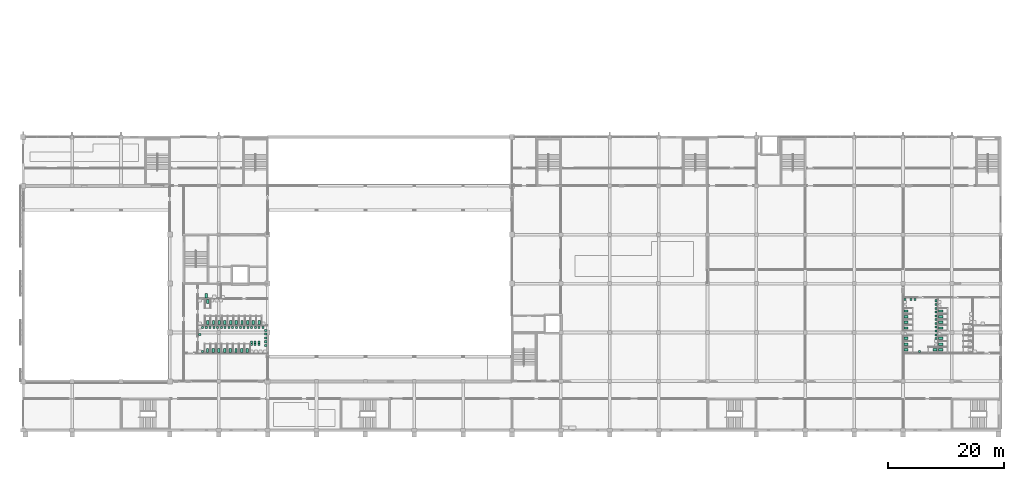
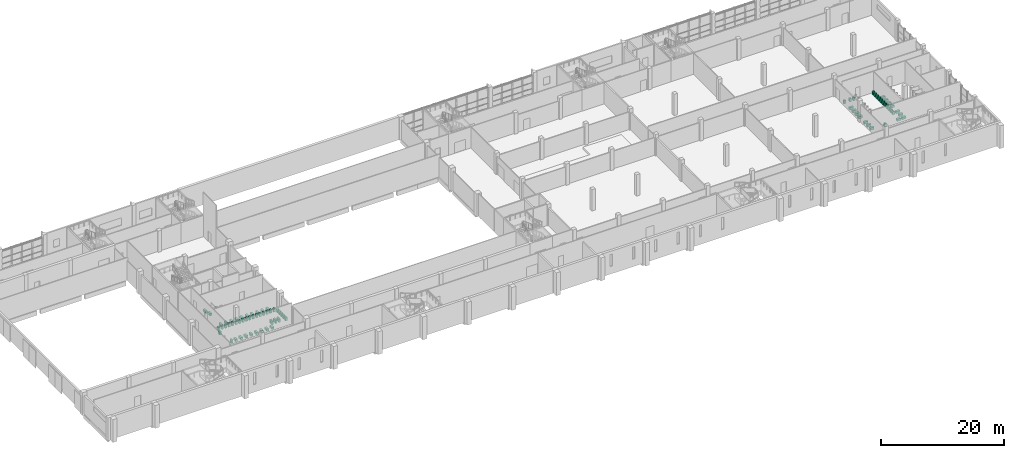
# One storey, part 63 of 64: 80 sanitary terminals.
"""IFC4 building model written with IfcOpenShell, lengths in metres."""

from ifc_helpers import new_model, si_unit, direction, frame, origin, origin_2d, place, context, subcontext, project, spatial, rectangle, extrude, material, type_object, element, save


model = new_model("IFC4")

# Units and contexts
model_context = context("Model", 3, precision=1e-05, world=origin(), true_north=direction((0.0, 1.0)))
body_context = subcontext(model_context, "Body", "Model", "MODEL_VIEW")
ifc_project = project(units=[si_unit("LENGTHUNIT", "METRE"), si_unit("AREAUNIT", "SQUARE_METRE"), si_unit("VOLUMEUNIT", "CUBIC_METRE"), si_unit("PLANEANGLEUNIT", "RADIAN"), si_unit("MASSUNIT", "GRAM", prefix="KILO")], contexts=[model_context])

# Site, building, storey
site_placement = place(None, origin())
site = spatial("IfcSite", under=ifc_project, at=site_placement, CompositionType="ELEMENT")
building_placement = place(site_placement, origin())
building = spatial("IfcBuilding", under=site, at=building_placement, Name="Rulbaag Community and Learning Centre", CompositionType="ELEMENT")
storey_placement = place(building_placement, frame((0.0, 0.0, 5.39990234375)))
storey = spatial("IfcBuildingStorey", under=building, at=storey_placement, Name="L01", CompositionType="ELEMENT", Elevation=5.39990234375)

# Sanitary terminals
ifc_material = material(Name="Vitreous china", Category="ceramic")
sanitary_terminal_type_1 = type_object("IfcSanitaryTerminalType", Name="UR-350", PredefinedType="URINAL", material=ifc_material)
for number, where, z_axis, x_axis, name in (
    (1, (30.804931640625, 13.530029296875, 0.000244140625), (0.0, 0.0, 1.0), (1.0, 0.0, 0.0), "Urinal 80"),
    (2, (30.804931640625, 17.669921875, 0.000244140625), (0.0, 0.0, 1.0), (1.0, 0.0, 0.0), "Urinal 81"),
    (3, (31.455078125, 17.669921875, 0.000244140625), (0.0, 0.0, 1.0), (1.0, 0.0, 0.0), "Urinal 82"),
    (4, (32.10498046875, 17.669921875, 0.000244140625), (0.0, 0.0, 1.0), (1.0, 0.0, 0.0), "Urinal 83"),
    (5, (32.7548828125, 17.669921875, 0.000244140625), (0.0, 0.0, 1.0), (1.0, 0.0, 0.0), "Urinal 84"),
    (6, (33.405029296875, 17.669921875, 0.000244140625), (0.0, 0.0, 1.0), (1.0, 0.0, 0.0), "Urinal 85"),
    (7, (34.054931640625, 17.669921875, 0.000244140625), (0.0, 0.0, 1.0), (1.0, 0.0, 0.0), "Urinal 86"),
    (8, (34.705078125, 17.669921875, 0.000244140625), (0.0, 0.0, 1.0), (1.0, 0.0, 0.0), "Urinal 87"),
    (9, (35.35498046875, 17.669921875, 0.000244140625), (0.0, 0.0, 1.0), (1.0, 0.0, 0.0), "Urinal 88"),
    (10, (36.0048828125, 17.669921875, 0.000244140625), (0.0, 0.0, 1.0), (1.0, 0.0, 0.0), "Urinal 89"),
    (11, (36.655029296875, 17.669921875, 0.000244140625), (0.0, 0.0, 1.0), (1.0, 0.0, 0.0), "Urinal 90"),
    (12, (37.304931640625, 17.669921875, 0.000244140625), (0.0, 0.0, 1.0), (1.0, 0.0, 0.0), "Urinal 91"),
    (13, (37.955078125, 17.669921875, 0.000244140625), (0.0, 0.0, 1.0), (1.0, 0.0, 0.0), "Urinal 92"),
    (14, (38.60498046875, 17.669921875, 0.000244140625), (0.0, 0.0, 1.0), (1.0, 0.0, 0.0), "Urinal 93"),
    (15, (39.2548828125, 17.669921875, 0.000244140625), (0.0, 0.0, 1.0), (1.0, 0.0, 0.0), "Urinal 94"),
    (16, (39.905029296875, 17.669921875, 0.000244140625), (0.0, 0.0, 1.0), (1.0, 0.0, 0.0), "Urinal 95"),
    (17, (40.554931640625, 17.669921875, 0.000244140625), (0.0, 0.0, 1.0), (1.0, 0.0, 0.0), "Urinal 96"),
    (18, (41.205078125, 17.669921875, 0.000244140625), (0.0, 0.0, 1.0), (1.0, 0.0, 0.0), "Urinal 97"),
):
    element("IfcSanitaryTerminal", number, at=place(storey_placement, frame(where, z_axis=z_axis, x_axis=x_axis)), inside=storey, type_object=sanitary_terminal_type_1, Name=name, PredefinedType="URINAL", context=body_context, shape_type="SweptSolid", body=[
        extrude(rectangle(XDim=0.35009765625, YDim=0.39990234375, at=origin_2d()), origin(), (0.0, 0.0, 1.0), 0.64990234375),
    ])
for number, where, z_axis, x_axis, name in (
    (19, (30.330078125, 16.455078125, 0.000244140625), (0.0, 0.0, 1.0), (1.0, 0.0, 0.0), "Urinal 98"),
    (20, (41.669921875, 14.554931640625, 0.000244140625), (0.0, 0.0, 1.0), (1.0, 0.0, 0.0), "Urinal 99"),
    (21, (41.669921875, 15.205078125, 0.000244140625), (0.0, 0.0, 1.0), (1.0, 0.0, 0.0), "Urinal 100"),
    (22, (41.669921875, 15.85498046875, 0.000244140625), (0.0, 0.0, 1.0), (1.0, 0.0, 0.0), "Urinal 101"),
    (23, (41.669921875, 16.5048828125, 0.000244140625), (0.0, 0.0, 1.0), (1.0, 0.0, 0.0), "Urinal 102"),
    (24, (41.669921875, 17.155029296875, 0.000244140625), (0.0, 0.0, 1.0), (1.0, 0.0, 0.0), "Urinal 103"),
):
    element("IfcSanitaryTerminal", number, at=place(storey_placement, frame(where, z_axis=z_axis, x_axis=x_axis)), inside=storey, type_object=sanitary_terminal_type_1, Name=name, PredefinedType="URINAL", context=body_context, shape_type="SweptSolid", body=[
        extrude(rectangle(XDim=0.39990234375, YDim=0.35009765625, at=origin_2d()), origin(), (0.0, 0.0, 1.0), 0.64990234375),
    ])
for number, where, z_axis, x_axis, name in (
    (25, (39.205078125, 14.72998046875, 0.000244140625), (0.0, 0.0, 1.0), (1.0, 0.0, 0.0), "Urinal 104"),
    (26, (39.205078125, 15.1298828125, 0.000244140625), (0.0, 0.0, 1.0), (1.0, 0.0, 0.0), "Urinal 105"),
    (27, (39.85498046875, 14.72998046875, 0.000244140625), (0.0, 0.0, 1.0), (1.0, 0.0, 0.0), "Urinal 106"),
    (28, (39.85498046875, 15.1298828125, 0.000244140625), (0.0, 0.0, 1.0), (1.0, 0.0, 0.0), "Urinal 107"),
    (29, (40.5048828125, 14.72998046875, 0.000244140625), (0.0, 0.0, 1.0), (1.0, 0.0, 0.0), "Urinal 108"),
    (30, (40.5048828125, 15.1298828125, 0.000244140625), (0.0, 0.0, 1.0), (1.0, 0.0, 0.0), "Urinal 109"),
):
    element("IfcSanitaryTerminal", number, at=place(storey_placement, frame(where, z_axis=z_axis, x_axis=x_axis)), inside=storey, type_object=sanitary_terminal_type_1, Name=name, PredefinedType="URINAL", context=body_context, shape_type="SweptSolid", body=[
        extrude(rectangle(XDim=0.35009765625, YDim=0.39990234375, at=origin_2d()), origin(), (0.0, 0.0, 1.0), 0.64990234375),
    ])
for number, where, z_axis, x_axis, name in (
    (31, (151.530029296875, 22.455078125, 0.000244140625), (0.0, 0.0, 1.0), (1.0, 0.0, 0.0), "Urinal 110"),
    (32, (156.8701171875, 15.7548828125, 0.000244140625), (0.0, 0.0, 1.0), (1.0, 0.0, 0.0), "Urinal 111"),
    (33, (156.8701171875, 16.405029296875, 0.000244140625), (0.0, 0.0, 1.0), (1.0, 0.0, 0.0), "Urinal 112"),
    (34, (156.8701171875, 17.054931640625, 0.000244140625), (0.0, 0.0, 1.0), (1.0, 0.0, 0.0), "Urinal 113"),
    (35, (156.8701171875, 17.705078125, 0.000244140625), (0.0, 0.0, 1.0), (1.0, 0.0, 0.0), "Urinal 114"),
    (36, (156.8701171875, 18.35498046875, 0.000244140625), (0.0, 0.0, 1.0), (1.0, 0.0, 0.0), "Urinal 115"),
    (37, (156.8701171875, 19.0048828125, 0.000244140625), (0.0, 0.0, 1.0), (1.0, 0.0, 0.0), "Urinal 116"),
    (38, (156.8701171875, 19.655029296875, 0.000244140625), (0.0, 0.0, 1.0), (1.0, 0.0, 0.0), "Urinal 117"),
    (39, (156.8701171875, 20.304931640625, 0.000244140625), (0.0, 0.0, 1.0), (1.0, 0.0, 0.0), "Urinal 118"),
    (40, (156.8701171875, 20.955078125, 0.000244140625), (0.0, 0.0, 1.0), (1.0, 0.0, 0.0), "Urinal 119"),
    (41, (156.8701171875, 21.60498046875, 0.000244140625), (0.0, 0.0, 1.0), (1.0, 0.0, 0.0), "Urinal 120"),
    (42, (156.8701171875, 22.2548828125, 0.000244140625), (0.0, 0.0, 1.0), (1.0, 0.0, 0.0), "Urinal 121"),
):
    element("IfcSanitaryTerminal", number, at=place(storey_placement, frame(where, z_axis=z_axis, x_axis=x_axis)), inside=storey, type_object=sanitary_terminal_type_1, Name=name, PredefinedType="URINAL", context=body_context, shape_type="SweptSolid", body=[
        extrude(rectangle(XDim=0.39990234375, YDim=0.35009765625, at=origin_2d()), origin(), (0.0, 0.0, 1.0), 0.64990234375),
    ])
for number, where, z_axis, x_axis, name in (
    (43, (154.0048828125, 13.530029296875, 0.000244140625), (0.0, 0.0, 1.0), (1.0, 0.0, 0.0), "Urinal 122"),
    (44, (152.60498046875, 22.469970703125, 0.000244140625), (0.0, 0.0, 1.0), (1.0, 0.0, 0.0), "Urinal 123"),
    (45, (153.2548828125, 22.469970703125, 0.000244140625), (0.0, 0.0, 1.0), (1.0, 0.0, 0.0), "Urinal 124"),
):
    element("IfcSanitaryTerminal", number, at=place(storey_placement, frame(where, z_axis=z_axis, x_axis=x_axis)), inside=storey, type_object=sanitary_terminal_type_1, Name=name, PredefinedType="URINAL", context=body_context, shape_type="SweptSolid", body=[
        extrude(rectangle(XDim=0.35009765625, YDim=0.39990234375, at=origin_2d()), origin(), (0.0, 0.0, 1.0), 0.64990234375),
    ])
sanitary_terminal_type_2 = type_object("IfcSanitaryTerminalType", Name="WC-400", PredefinedType="TOILETPAN", material=ifc_material)
for number, where, z_axis, x_axis, name in (
    (46, (31.669921875, 13.679931640625, 0.0), (0.0, 0.0, 1.0), (1.0, 0.0, 0.0), "WC 47"),
    (47, (32.64990234375, 13.679931640625, 0.0), (0.0, 0.0, 1.0), (1.0, 0.0, 0.0), "WC 48"),
    (48, (33.6298828125, 13.679931640625, 0.0), (0.0, 0.0, 1.0), (1.0, 0.0, 0.0), "WC 49"),
    (49, (34.610107421875, 13.679931640625, 0.0), (0.0, 0.0, 1.0), (1.0, 0.0, 0.0), "WC 50"),
    (50, (35.590087890625, 13.679931640625, 0.0), (0.0, 0.0, 1.0), (1.0, 0.0, 0.0), "WC 51"),
    (51, (36.570068359375, 13.679931640625, 0.0), (0.0, 0.0, 1.0), (1.0, 0.0, 0.0), "WC 52"),
    (52, (37.550048828125, 13.679931640625, 0.0), (0.0, 0.0, 1.0), (1.0, 0.0, 0.0), "WC 53"),
    (53, (38.530029296875, 13.679931640625, 0.0), (0.0, 0.0, 1.0), (1.0, 0.0, 0.0), "WC 54"),
):
    element("IfcSanitaryTerminal", number, at=place(storey_placement, frame(where, z_axis=z_axis, x_axis=x_axis)), inside=storey, type_object=sanitary_terminal_type_2, Name=name, PredefinedType="TOILETPAN", context=body_context, shape_type="SweptSolid", body=[
        extrude(rectangle(XDim=0.39990234375, YDim=0.699951171875, at=origin_2d()), origin(), (0.0, 0.0, 1.0), 0.449951171875),
    ])
for number, where, z_axis, x_axis, name in (
    (54, (151.679931640625, 13.820068359375, 0.0), (0.0, 0.0, 1.0), (1.0, 0.0, 0.0), "WC 55"),
    (55, (151.679931640625, 14.800048828125, 0.0), (0.0, 0.0, 1.0), (1.0, 0.0, 0.0), "WC 56"),
    (56, (151.679931640625, 15.780029296875, 0.0), (0.0, 0.0, 1.0), (1.0, 0.0, 0.0), "WC 57"),
    (57, (151.679931640625, 17.56005859375, 0.0), (0.0, 0.0, 1.0), (1.0, 0.0, 0.0), "WC 58"),
    (58, (151.679931640625, 18.5400390625, 0.0), (0.0, 0.0, 1.0), (1.0, 0.0, 0.0), "WC 59"),
    (59, (151.679931640625, 19.52001953125, 0.0), (0.0, 0.0, 1.0), (1.0, 0.0, 0.0), "WC 60"),
    (60, (151.679931640625, 20.5, 0.0), (0.0, 0.0, 1.0), (1.0, 0.0, 0.0), "WC 61"),
    (61, (156.719970703125, 13.820068359375, 0.0), (0.0, 0.0, 1.0), (1.0, 0.0, 0.0), "WC 62"),
    (62, (157.679931640625, 13.820068359375, 0.0), (0.0, 0.0, 1.0), (1.0, 0.0, 0.0), "WC 63"),
    (63, (157.679931640625, 14.800048828125, 0.0), (0.0, 0.0, 1.0), (1.0, 0.0, 0.0), "WC 64"),
    (64, (157.679931640625, 15.780029296875, 0.0), (0.0, 0.0, 1.0), (1.0, 0.0, 0.0), "WC 65"),
    (65, (157.679931640625, 17.56005859375, 0.0), (0.0, 0.0, 1.0), (1.0, 0.0, 0.0), "WC 66"),
    (66, (157.679931640625, 18.5400390625, 0.0), (0.0, 0.0, 1.0), (1.0, 0.0, 0.0), "WC 67"),
    (67, (157.679931640625, 19.52001953125, 0.0), (0.0, 0.0, 1.0), (1.0, 0.0, 0.0), "WC 68"),
    (68, (157.679931640625, 20.5, 0.0), (0.0, 0.0, 1.0), (1.0, 0.0, 0.0), "WC 69"),
):
    element("IfcSanitaryTerminal", number, at=place(storey_placement, frame(where, z_axis=z_axis, x_axis=x_axis)), inside=storey, type_object=sanitary_terminal_type_2, Name=name, PredefinedType="TOILETPAN", context=body_context, shape_type="SweptSolid", body=[
        extrude(rectangle(XDim=0.699951171875, YDim=0.39990234375, at=origin_2d()), origin(), (0.0, 0.0, 1.0), 0.449951171875),
    ])
for number, where, z_axis, x_axis, name in (
    (69, (31.719970703125, 18.47998046875, 0.0), (0.0, 0.0, 1.0), (1.0, 0.0, 0.0), "WC 75"),
    (70, (32.699951171875, 18.47998046875, 0.0), (0.0, 0.0, 1.0), (1.0, 0.0, 0.0), "WC 76"),
    (71, (33.679931640625, 18.47998046875, 0.0), (0.0, 0.0, 1.0), (1.0, 0.0, 0.0), "WC 77"),
    (72, (34.659912109375, 18.47998046875, 0.0), (0.0, 0.0, 1.0), (1.0, 0.0, 0.0), "WC 78"),
    (73, (35.639892578125, 18.47998046875, 0.0), (0.0, 0.0, 1.0), (1.0, 0.0, 0.0), "WC 79"),
    (74, (36.6201171875, 18.47998046875, 0.0), (0.0, 0.0, 1.0), (1.0, 0.0, 0.0), "WC 80"),
    (75, (37.60009765625, 18.47998046875, 0.0), (0.0, 0.0, 1.0), (1.0, 0.0, 0.0), "WC 81"),
    (76, (38.580078125, 18.47998046875, 0.0), (0.0, 0.0, 1.0), (1.0, 0.0, 0.0), "WC 82"),
    (77, (39.56005859375, 18.47998046875, 0.0), (0.0, 0.0, 1.0), (1.0, 0.0, 0.0), "WC 83"),
    (78, (40.5400390625, 18.47998046875, 0.0), (0.0, 0.0, 1.0), (1.0, 0.0, 0.0), "WC 84"),
    (79, (31.719970703125, 22.1201171875, 0.0), (0.0, 0.0, 1.0), (1.0, 0.0, 0.0), "WC 85"),
):
    element("IfcSanitaryTerminal", number, at=place(storey_placement, frame(where, z_axis=z_axis, x_axis=x_axis)), inside=storey, type_object=sanitary_terminal_type_2, Name=name, PredefinedType="TOILETPAN", context=body_context, shape_type="SweptSolid", body=[
        extrude(rectangle(XDim=0.39990234375, YDim=0.699951171875, at=origin_2d()), origin(), (0.0, 0.0, 1.0), 0.449951171875),
    ])
sanitary_terminal_type_3 = type_object("IfcSanitaryTerminalType", Name="WC-AC-480", PredefinedType="TOILETPAN", material=ifc_material)
sanitary_terminal_placement = place(storey_placement, frame((31.429931640625, 23.10498046875, 0.0), z_axis=(0.0, 0.0, 1.0), x_axis=(1.0, 0.0, 0.0)))
element("IfcSanitaryTerminal", 80, at=sanitary_terminal_placement, inside=storey, type_object=sanitary_terminal_type_3, Name="WC 86", PredefinedType="TOILETPAN", context=body_context, shape_type="SweptSolid", body=[
    extrude(rectangle(XDim=0.39990234375, YDim=0.75, at=origin_2d()), origin(), (0.0, 0.0, 1.0), 0.47998046875),
])

save(model, "model.ifc")
